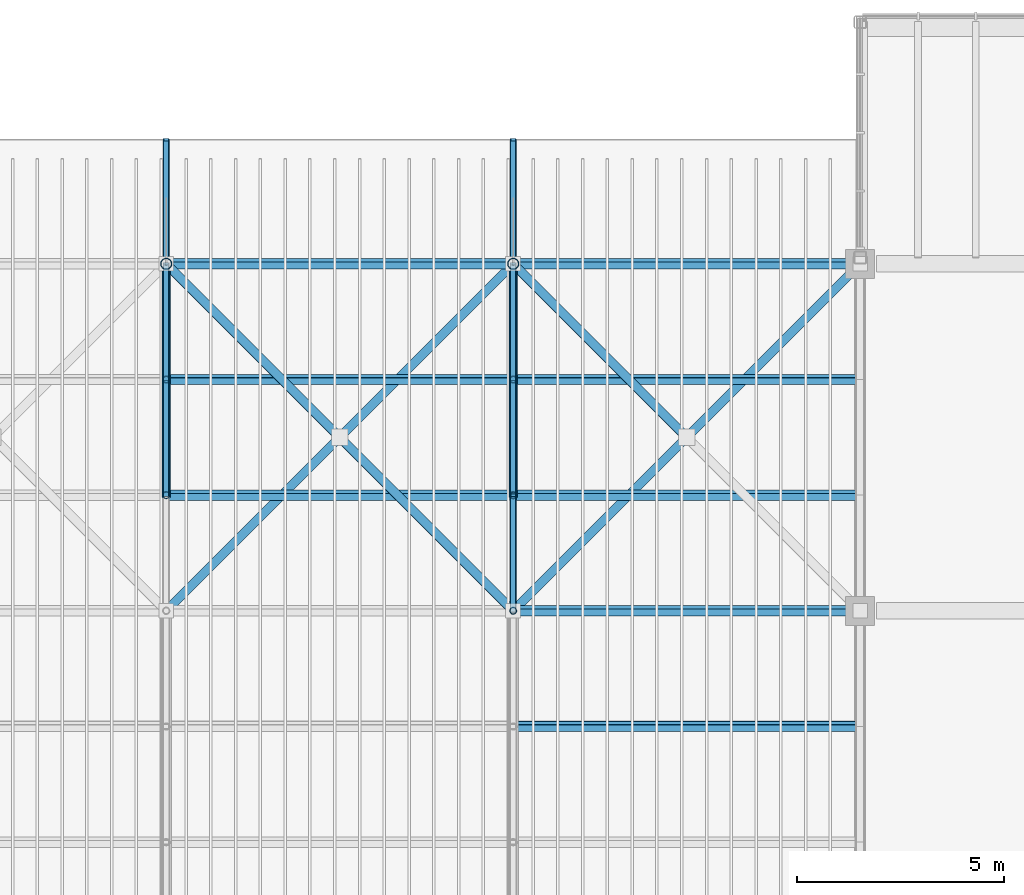
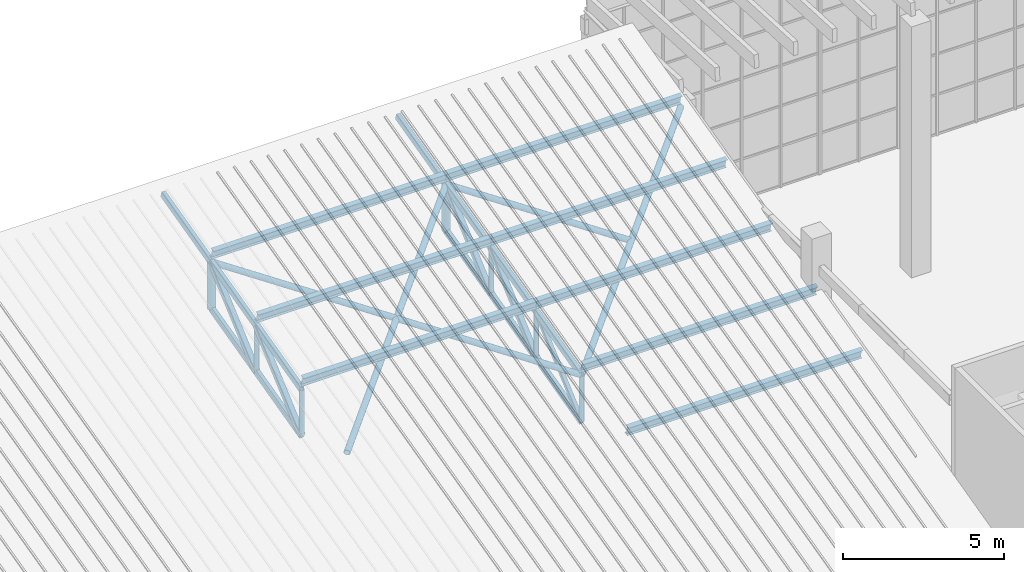
# One storey, part 14 of 114: 35 members.
"""IFC4 building model written with IfcOpenShell, lengths in metres."""

from ifc_helpers import new_model, si_unit, direction, frame, origin, origin_2d, place, context, subcontext, project, spatial, hollow_rectangle, hollow_circle, i_section, extrude, material, material_profile, profile_set, type_object, element, save


model = new_model("IFC4")

# Units and contexts
model_context = context("Model", 3, precision=1e-05, world=origin(), true_north=direction((0.0, 1.0)))
body_context = subcontext(model_context, "Body", "Model", "MODEL_VIEW")
ifc_project = project(units=[si_unit("LENGTHUNIT", "METRE"), si_unit("AREAUNIT", "SQUARE_METRE"), si_unit("VOLUMEUNIT", "CUBIC_METRE"), si_unit("PLANEANGLEUNIT", "RADIAN"), si_unit("MASSUNIT", "GRAM", prefix="KILO")], contexts=[model_context])

# Site, building, storey
site_placement = place(None, origin())
site = spatial("IfcSite", under=ifc_project, at=site_placement, CompositionType="ELEMENT")
building_placement = place(site_placement, origin())
building = spatial("IfcBuilding", under=site, at=building_placement, Name="Almond Square Museum", CompositionType="ELEMENT")
storey_placement = place(building_placement, frame((0.0, 0.0, 10.5)))
storey = spatial("IfcBuildingStorey", under=building, at=storey_placement, Name="L02", CompositionType="ELEMENT", Elevation=10.5)

# Members
ifc_material_1 = material(Name="Structural steel S355", Category="steel")
ifc_material_profile_1 = material_profile(ifc_material_1, hollow_circle(Radius=0.109619140625, WallThickness=0.010009765625, at=origin_2d()))
ifc_profile_set_1 = profile_set([ifc_material_profile_1], Name="Structural steel S355")
member_type_1 = type_object("IfcMemberType", Name="Roof brace CHS 219.1x10", PredefinedType="BRACE", material=ifc_profile_set_1)
member_1_placement = place(storey_placement, frame((22.800048828125, 100.800048828125, 6.9794921875), z_axis=(0.696057820864, 0.696057820864, 0.176088103029), x_axis=(-0.707106781187, 0.707106781187, 0.0)))
element("IfcMember", 1, at=member_1_placement, inside=storey, type_object=member_type_1, Name="Auditorium roof plan brace", PredefinedType="BRACE", context=body_context, shape_type="SweptSolid", body=[
    extrude(hollow_circle(Radius=0.109619140625, WallThickness=0.010009765625, at=origin_2d()), origin(), (0.0, 0.0, 1.0), 12.06787109375),
])
member_2_placement = place(storey_placement, frame((31.199951171875, 100.800048828125, 6.9794921875), z_axis=(-0.696057820864, 0.696057820864, 0.176088103029), x_axis=(-0.707106781187, -0.707106781187, 0.0)))
element("IfcMember", 2, at=member_2_placement, inside=storey, type_object=member_type_1, Name="Auditorium roof plan brace", PredefinedType="BRACE", context=body_context, shape_type="SweptSolid", body=[
    extrude(hollow_circle(Radius=0.109619140625, WallThickness=0.010009765625, at=origin_2d()), origin(), (0.0, 0.0, 1.0), 6.033935546875),
])
member_3_placement = place(storey_placement, frame((31.199951171875, 100.800048828125, 6.9794921875), z_axis=(0.696068249646, 0.69604801922, 0.176085623417), x_axis=(-0.707096505339, 0.707117056885, 0.0)))
element("IfcMember", 3, at=member_3_placement, inside=storey, type_object=member_type_1, Name="Auditorium roof plan brace", PredefinedType="BRACE", context=body_context, shape_type="SweptSolid", body=[
    extrude(hollow_circle(Radius=0.109619140625, WallThickness=0.010009765625, at=origin_2d()), origin(), (0.0, 0.0, 1.0), 12.06787109375),
])
for number, where, z_axis, x_axis, name in (
    (4, (27.0, 105.0, 8.0419921875), (-0.696057820864, 0.696057820864, 0.176088103029), (-0.707106781187, -0.707106781187, 0.0), "Auditorium roof plan brace"),
    (5, (35.39990234375, 105.0, 8.0419921875), (-0.696057820864, 0.696057820864, 0.176088103029), (-0.707106781187, -0.707106781187, 0.0), "Auditorium roof plan brace"),
):
    element("IfcMember", number, at=place(storey_placement, frame(where, z_axis=z_axis, x_axis=x_axis)), inside=storey, type_object=member_type_1, Name=name, PredefinedType="BRACE", context=body_context, shape_type="SweptSolid", body=[
        extrude(hollow_circle(Radius=0.109619140625, WallThickness=0.010009765625, at=origin_2d()), origin(), (0.0, 0.0, 1.0), 6.033935546875),
    ])
ifc_material_2 = material(Name="Structural steel S355", Category="steel")
ifc_material_profile_2 = material_profile(ifc_material_2, i_section(OverallWidth=0.1708984375, OverallDepth=0.35595703125, WebThickness=0.00732421875, FlangeThickness=0.01171875, at=origin_2d()))
ifc_profile_set_2 = profile_set([ifc_material_profile_2], Name="Structural steel S355")
member_type_2 = type_object("IfcMemberType", Name="Steel purlin W360x51", PredefinedType="PURLIN", material=ifc_profile_set_2)
for number, where, z_axis, x_axis, name in (
    (6, (31.199951171875, 98.0, 6.579833984375), (1.0, 0.0, 0.0), (0.0, 0.969459905022, 0.245249857402), "Auditorium purlin 10.4"),
    (7, (31.199951171875, 100.800048828125, 7.2880859375), (1.0, 0.0, 0.0), (0.0, 0.969459905022, 0.245249857402), "Auditorium purlin 11.4"),
):
    element("IfcMember", number, at=place(storey_placement, frame(where, z_axis=z_axis, x_axis=x_axis)), inside=storey, type_object=member_type_2, Name=name, PredefinedType="PURLIN", context=body_context, shape_type="SweptSolid", body=[
        extrude(i_section(OverallWidth=0.1708984375, OverallDepth=0.35595703125, WebThickness=0.00732421875, FlangeThickness=0.01171875, at=origin_2d()), origin(), (0.0, 0.0, 1.0), 8.400146484375),
    ])
member_4_placement = place(storey_placement, frame((22.800048828125, 103.60009765625, 7.99658203125), z_axis=(1.0, 0.0, 0.0), x_axis=(0.0, 0.969459905022, 0.245249857402)))
element("IfcMember", 8, at=member_4_placement, inside=storey, type_object=member_type_2, Name="Auditorium purlin 12.3", PredefinedType="PURLIN", context=body_context, shape_type="SweptSolid", body=[
    extrude(i_section(OverallWidth=0.1708984375, OverallDepth=0.35595703125, WebThickness=0.00732421875, FlangeThickness=0.01171875, at=origin_2d()), origin(), (0.0, 0.0, 1.0), 8.39990234375),
])
member_5_placement = place(storey_placement, frame((31.199951171875, 103.60009765625, 7.99658203125), z_axis=(1.0, 0.0, 0.0), x_axis=(0.0, 0.969459905022, 0.245249857402)))
element("IfcMember", 9, at=member_5_placement, inside=storey, type_object=member_type_2, Name="Auditorium purlin 12.4", PredefinedType="PURLIN", context=body_context, shape_type="SweptSolid", body=[
    extrude(i_section(OverallWidth=0.1708984375, OverallDepth=0.35595703125, WebThickness=0.00732421875, FlangeThickness=0.01171875, at=origin_2d()), origin(), (0.0, 0.0, 1.0), 8.400146484375),
])
member_6_placement = place(storey_placement, frame((22.800048828125, 106.39990234375, 8.704833984375), z_axis=(1.0, 0.0, 0.0), x_axis=(0.0, 0.969459905022, 0.245249857402)))
element("IfcMember", 10, at=member_6_placement, inside=storey, type_object=member_type_2, Name="Auditorium purlin 13.3", PredefinedType="PURLIN", context=body_context, shape_type="SweptSolid", body=[
    extrude(i_section(OverallWidth=0.1708984375, OverallDepth=0.35595703125, WebThickness=0.00732421875, FlangeThickness=0.01171875, at=origin_2d()), origin(), (0.0, 0.0, 1.0), 8.39990234375),
])
member_7_placement = place(storey_placement, frame((31.199951171875, 106.39990234375, 8.704833984375), z_axis=(1.0, 0.0, 0.0), x_axis=(0.0, 0.969459905022, 0.245249857402)))
element("IfcMember", 11, at=member_7_placement, inside=storey, type_object=member_type_2, Name="Auditorium purlin 13.4", PredefinedType="PURLIN", context=body_context, shape_type="SweptSolid", body=[
    extrude(i_section(OverallWidth=0.1708984375, OverallDepth=0.35595703125, WebThickness=0.00732421875, FlangeThickness=0.01171875, at=origin_2d()), origin(), (0.0, 0.0, 1.0), 8.400146484375),
])
member_8_placement = place(storey_placement, frame((22.800048828125, 109.199951171875, 9.4130859375), z_axis=(1.0, 0.0, 0.0), x_axis=(0.0, 0.969459905022, 0.245249857402)))
element("IfcMember", 12, at=member_8_placement, inside=storey, type_object=member_type_2, Name="Auditorium purlin 14.3", PredefinedType="PURLIN", context=body_context, shape_type="SweptSolid", body=[
    extrude(i_section(OverallWidth=0.1708984375, OverallDepth=0.35595703125, WebThickness=0.00732421875, FlangeThickness=0.01171875, at=origin_2d()), origin(), (0.0, 0.0, 1.0), 8.39990234375),
])
member_9_placement = place(storey_placement, frame((31.199951171875, 109.199951171875, 9.4130859375), z_axis=(1.0, 0.0, 0.0), x_axis=(0.0, 0.969459905022, 0.245249857402)))
element("IfcMember", 13, at=member_9_placement, inside=storey, type_object=member_type_2, Name="Auditorium purlin 14.4", PredefinedType="PURLIN", context=body_context, shape_type="SweptSolid", body=[
    extrude(i_section(OverallWidth=0.1708984375, OverallDepth=0.35595703125, WebThickness=0.00732421875, FlangeThickness=0.01171875, at=origin_2d()), origin(), (0.0, 0.0, 1.0), 8.400146484375),
])
ifc_material_3 = material(Name="Structural steel S355", Category="steel")
ifc_material_profile_3 = material_profile(ifc_material_3, hollow_rectangle(XDim=0.14990234375, YDim=0.25, WallThickness=0.010009765625, InnerFilletRadius=0.014892578125, OuterFilletRadius=0.02490234375, at=origin_2d()))
ifc_profile_set_3 = profile_set([ifc_material_profile_3], Name="Structural steel S355")
member_type_3 = type_object("IfcMemberType", Name="Truss chord RHS 250x150x10", PredefinedType="CHORD", material=ifc_profile_set_3)
member_10_placement = place(storey_placement, frame((22.800048828125, 103.60009765625, 7.68798828125), z_axis=(0.0, 0.969464980033, 0.245229795272), x_axis=(-1.0, 0.0, 0.0)))
element("IfcMember", 14, at=member_10_placement, inside=storey, type_object=member_type_3, Name="TR-14 top chord 11 to 12", PredefinedType="CHORD", context=body_context, shape_type="SweptSolid", body=[
    extrude(hollow_rectangle(XDim=0.14990234375, YDim=0.25, WallThickness=0.010009765625, InnerFilletRadius=0.014892578125, OuterFilletRadius=0.02490234375, at=origin_2d()), origin(), (0.0, 0.0, 1.0), 5.776123046875),
])
member_11_placement = place(storey_placement, frame((22.800048828125, 103.60009765625, 5.93798828125), z_axis=(0.0, 0.969462438073, 0.245239844162), x_axis=(-1.0, 0.0, 0.0)))
element("IfcMember", 15, at=member_11_placement, inside=storey, type_object=member_type_3, Name="TR-14 bottom chord 11", PredefinedType="CHORD", context=body_context, shape_type="SweptSolid", body=[
    extrude(hollow_rectangle(XDim=0.14990234375, YDim=0.25, WallThickness=0.010009765625, InnerFilletRadius=0.014892578125, OuterFilletRadius=0.02490234375, at=origin_2d()), origin(), (0.0, 0.0, 1.0), 2.887939453125),
])
for number, where, z_axis, x_axis, name in (
    (16, (22.800048828125, 106.39990234375, 6.646240234375), (0.0, 0.969467521681, 0.245219747179), (-1.0, 0.0, 0.0), "TR-14 bottom chord 12"),
    (17, (31.199951171875, 100.800048828125, 6.9794921875), (0.0, 0.969447423453, 0.245299191112), (-1.0, 0.0, 0.0), "TR-15 top chord 10"),
    (18, (31.199951171875, 100.800048828125, 5.2294921875), (0.0, 0.969447423453, 0.245299191112), (-1.0, 0.0, 0.0), "TR-15 bottom chord 10"),
):
    element("IfcMember", number, at=place(storey_placement, frame(where, z_axis=z_axis, x_axis=x_axis)), inside=storey, type_object=member_type_3, Name=name, PredefinedType="CHORD", context=body_context, shape_type="SweptSolid", body=[
        extrude(hollow_rectangle(XDim=0.14990234375, YDim=0.25, WallThickness=0.010009765625, InnerFilletRadius=0.014892578125, OuterFilletRadius=0.02490234375, at=origin_2d()), origin(), (0.0, 0.0, 1.0), 2.88818359375),
    ])
member_12_placement = place(storey_placement, frame((31.199951171875, 103.60009765625, 7.68798828125), z_axis=(0.0, 0.969464980033, 0.245229795272), x_axis=(-1.0, 0.0, 0.0)))
element("IfcMember", 19, at=member_12_placement, inside=storey, type_object=member_type_3, Name="TR-15 top chord 11 to 12", PredefinedType="CHORD", context=body_context, shape_type="SweptSolid", body=[
    extrude(hollow_rectangle(XDim=0.14990234375, YDim=0.25, WallThickness=0.010009765625, InnerFilletRadius=0.014892578125, OuterFilletRadius=0.02490234375, at=origin_2d()), origin(), (0.0, 0.0, 1.0), 5.776123046875),
])
member_13_placement = place(storey_placement, frame((31.199951171875, 103.60009765625, 5.93798828125), z_axis=(0.0, 0.969462438073, 0.245239844162), x_axis=(-1.0, 0.0, 0.0)))
element("IfcMember", 20, at=member_13_placement, inside=storey, type_object=member_type_3, Name="TR-15 bottom chord 11", PredefinedType="CHORD", context=body_context, shape_type="SweptSolid", body=[
    extrude(hollow_rectangle(XDim=0.14990234375, YDim=0.25, WallThickness=0.010009765625, InnerFilletRadius=0.014892578125, OuterFilletRadius=0.02490234375, at=origin_2d()), origin(), (0.0, 0.0, 1.0), 2.887939453125),
])
member_14_placement = place(storey_placement, frame((31.199951171875, 106.39990234375, 6.646240234375), z_axis=(0.0, 0.969467521681, 0.245219747179), x_axis=(-1.0, 0.0, 0.0)))
element("IfcMember", 21, at=member_14_placement, inside=storey, type_object=member_type_3, Name="TR-15 bottom chord 12", PredefinedType="CHORD", context=body_context, shape_type="SweptSolid", body=[
    extrude(hollow_rectangle(XDim=0.14990234375, YDim=0.25, WallThickness=0.010009765625, InnerFilletRadius=0.014892578125, OuterFilletRadius=0.02490234375, at=origin_2d()), origin(), (0.0, 0.0, 1.0), 2.88818359375),
])
for number, where, z_axis, x_axis, name in (
    (22, (22.800048828125, 109.199951171875, 9.1044921875), (0.0, 0.969451766446, 0.24528202652), (-1.0, 0.0, 0.0), "Auditorium truss 2 north eave chord"),
    (23, (31.199951171875, 109.199951171875, 9.1044921875), (0.0, 0.969451766446, 0.24528202652), (-1.0, 0.0, 0.0), "Auditorium truss 3 north eave chord"),
):
    element("IfcMember", number, at=place(storey_placement, frame(where, z_axis=z_axis, x_axis=x_axis)), inside=storey, type_object=member_type_3, Name=name, PredefinedType="CHORD", context=body_context, shape_type="SweptSolid", body=[
        extrude(hollow_rectangle(XDim=0.14990234375, YDim=0.25, WallThickness=0.010009765625, InnerFilletRadius=0.014892578125, OuterFilletRadius=0.02490234375, at=origin_2d()), origin(), (0.0, 0.0, 1.0), 3.094482421875),
    ])
ifc_material_4 = material(Name="Structural steel S355", Category="steel")
ifc_material_profile_4 = material_profile(ifc_material_4, hollow_rectangle(XDim=0.14990234375, YDim=0.14990234375, WallThickness=0.008056640625, InnerFilletRadius=0.011962890625, OuterFilletRadius=0.02001953125, at=origin_2d()))
ifc_profile_set_4 = profile_set([ifc_material_profile_4], Name="Structural steel S355")
member_type_4 = type_object("IfcMemberType", Name="Truss diagonal SHS 150x150x8", PredefinedType="BRACE", material=ifc_profile_set_4)
member_15_placement = place(storey_placement, frame((31.199951171875, 100.800048828125, 5.2294921875), z_axis=(0.0, 0.751451317382, 0.659788540068), x_axis=(-1.0, 0.0, 0.0)))
element("IfcMember", 24, at=member_15_placement, inside=storey, type_object=member_type_4, Name="TR-15 diagonal 10", PredefinedType="BRACE", context=body_context, shape_type="SweptSolid", body=[
    extrude(hollow_rectangle(XDim=0.14990234375, YDim=0.14990234375, WallThickness=0.008056640625, InnerFilletRadius=0.011962890625, OuterFilletRadius=0.02001953125, at=origin_2d()), origin(), (0.0, 0.0, 1.0), 3.72607421875),
])
ifc_material_5 = material(Name="Structural steel S355", Category="steel")
ifc_material_profile_5 = material_profile(ifc_material_5, hollow_rectangle(XDim=0.199951171875, YDim=0.199951171875, WallThickness=0.010009765625, InnerFilletRadius=0.014892578125, OuterFilletRadius=0.02490234375, at=origin_2d()))
ifc_profile_set_5 = profile_set([ifc_material_profile_5], Name="Structural steel S355")
member_type_5 = type_object("IfcMemberType", Name="Truss diagonal SHS 200x200x10", PredefinedType="BRACE", material=ifc_profile_set_5)
member_16_placement = place(storey_placement, frame((22.800048828125, 103.60009765625, 5.93798828125), z_axis=(0.0, 0.75145528027, 0.659784026599), x_axis=(-1.0, 0.0, 0.0)))
element("IfcMember", 25, at=member_16_placement, inside=storey, type_object=member_type_5, Name="TR-14 diagonal 11", PredefinedType="BRACE", context=body_context, shape_type="SweptSolid", body=[
    extrude(hollow_rectangle(XDim=0.199951171875, YDim=0.199951171875, WallThickness=0.010009765625, InnerFilletRadius=0.014892578125, OuterFilletRadius=0.02490234375, at=origin_2d()), origin(), (0.0, 0.0, 1.0), 3.725830078125),
])
member_17_placement = place(storey_placement, frame((22.800048828125, 106.39990234375, 6.646240234375), z_axis=(0.0, 0.751483802729, 0.659751539775), x_axis=(-1.0, 0.0, 0.0)))
element("IfcMember", 26, at=member_17_placement, inside=storey, type_object=member_type_5, Name="TR-14 diagonal 12", PredefinedType="BRACE", context=body_context, shape_type="SweptSolid", body=[
    extrude(hollow_rectangle(XDim=0.199951171875, YDim=0.199951171875, WallThickness=0.010009765625, InnerFilletRadius=0.014892578125, OuterFilletRadius=0.02490234375, at=origin_2d()), origin(), (0.0, 0.0, 1.0), 3.72607421875),
])
member_18_placement = place(storey_placement, frame((31.199951171875, 103.60009765625, 5.93798828125), z_axis=(0.0, 0.75145528027, 0.659784026599), x_axis=(-1.0, 0.0, 0.0)))
element("IfcMember", 27, at=member_18_placement, inside=storey, type_object=member_type_5, Name="TR-15 diagonal 11", PredefinedType="BRACE", context=body_context, shape_type="SweptSolid", body=[
    extrude(hollow_rectangle(XDim=0.199951171875, YDim=0.199951171875, WallThickness=0.010009765625, InnerFilletRadius=0.014892578125, OuterFilletRadius=0.02490234375, at=origin_2d()), origin(), (0.0, 0.0, 1.0), 3.725830078125),
])
member_19_placement = place(storey_placement, frame((31.199951171875, 106.39990234375, 6.646240234375), z_axis=(0.0, 0.751483802729, 0.659751539775), x_axis=(-1.0, 0.0, 0.0)))
element("IfcMember", 28, at=member_19_placement, inside=storey, type_object=member_type_5, Name="TR-15 diagonal 12", PredefinedType="BRACE", context=body_context, shape_type="SweptSolid", body=[
    extrude(hollow_rectangle(XDim=0.199951171875, YDim=0.199951171875, WallThickness=0.010009765625, InnerFilletRadius=0.014892578125, OuterFilletRadius=0.02490234375, at=origin_2d()), origin(), (0.0, 0.0, 1.0), 3.72607421875),
])
ifc_material_6 = material(Name="Structural steel S355", Category="steel")
ifc_material_profile_6 = material_profile(ifc_material_6, hollow_circle(Radius=0.084228515625, WallThickness=0.008056640625, at=origin_2d()))
ifc_profile_set_6 = profile_set([ifc_material_profile_6], Name="Structural steel S355")
member_type_6 = type_object("IfcMemberType", Name="Truss post CHS 168.3x8", PredefinedType="POST", material=ifc_profile_set_6)
for number, where, z_axis, x_axis, name in (
    (29, (22.800048828125, 103.60009765625, 5.93798828125), (0.0, 0.0, 1.0), (1.0, 0.0, 0.0), "TR-14 post 11"),
    (30, (22.800048828125, 106.39990234375, 6.646240234375), (0.0, 0.0, 1.0), (1.0, 0.0, 0.0), "TR-14 post 12"),
    (31, (31.199951171875, 100.800048828125, 5.2294921875), (0.0, 0.0, 1.0), (1.0, 0.0, 0.0), "TR-15 post 10"),
    (32, (31.199951171875, 103.60009765625, 5.93798828125), (0.0, 0.0, 1.0), (1.0, 0.0, 0.0), "TR-15 post 11"),
    (33, (31.199951171875, 106.39990234375, 6.646240234375), (0.0, 0.0, 1.0), (1.0, 0.0, 0.0), "TR-15 post 12"),
):
    element("IfcMember", number, at=place(storey_placement, frame(where, z_axis=z_axis, x_axis=x_axis)), inside=storey, type_object=member_type_6, Name=name, PredefinedType="POST", context=body_context, shape_type="SweptSolid", body=[
        extrude(hollow_circle(Radius=0.084228515625, WallThickness=0.008056640625, at=origin_2d()), origin(), (0.0, 0.0, 1.0), 1.75),
    ])
ifc_material_7 = material(Name="Structural steel S355", Category="steel")
ifc_material_profile_7 = material_profile(ifc_material_7, hollow_circle(Radius=0.136474609375, WallThickness=0.012451171875, at=origin_2d()))
ifc_profile_set_7 = profile_set([ifc_material_profile_7], Name="Structural steel S355")
member_type_7 = type_object("IfcMemberType", Name="Truss post CHS 273x12.5", PredefinedType="POST", material=ifc_profile_set_7)
for number, where, z_axis, x_axis, name in (
    (34, (22.800048828125, 109.199951171875, 7.3544921875), (0.0, 0.0, 1.0), (1.0, 0.0, 0.0), "TR-14 post 13"),
    (35, (31.199951171875, 109.199951171875, 7.3544921875), (0.0, 0.0, 1.0), (1.0, 0.0, 0.0), "TR-15 post 13"),
):
    element("IfcMember", number, at=place(storey_placement, frame(where, z_axis=z_axis, x_axis=x_axis)), inside=storey, type_object=member_type_7, Name=name, PredefinedType="POST", context=body_context, shape_type="SweptSolid", body=[
        extrude(hollow_circle(Radius=0.136474609375, WallThickness=0.012451171875, at=origin_2d()), origin(), (0.0, 0.0, 1.0), 1.75),
    ])

save(model, "model.ifc")
